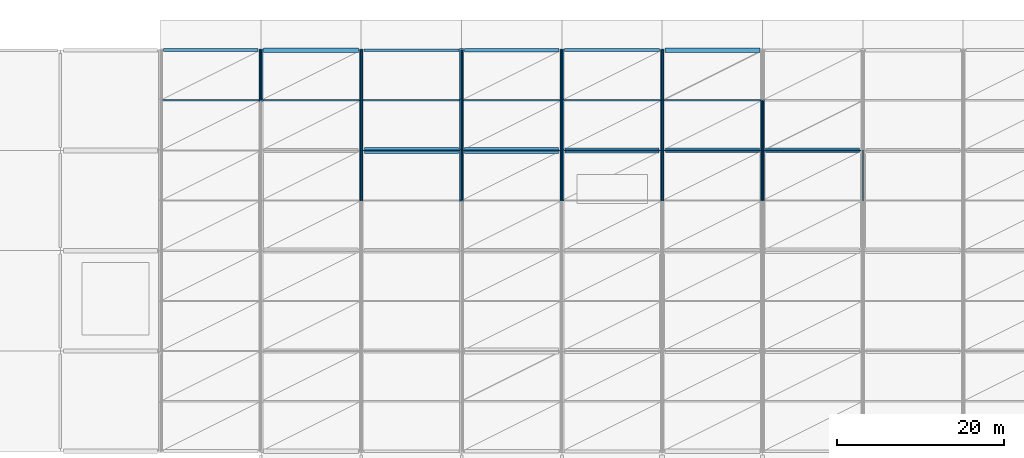
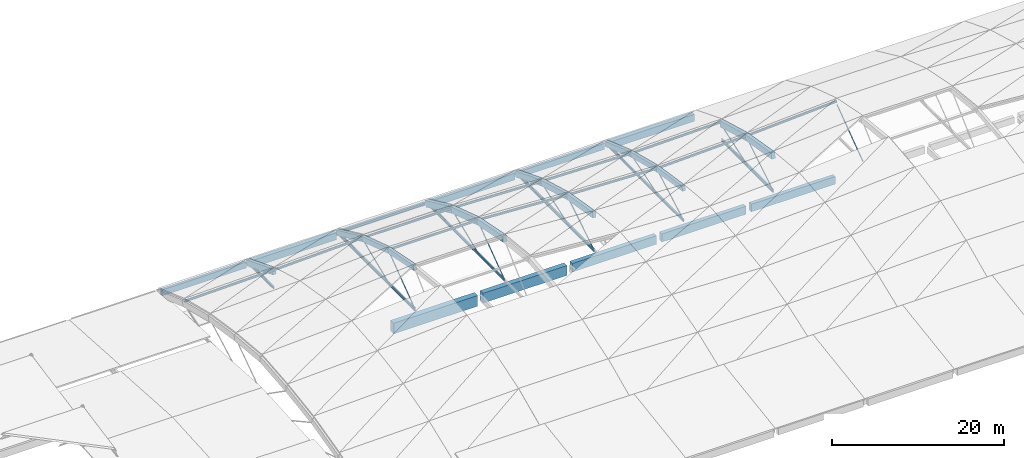
# One storey, part 16 of 23: 37 beams, 31 members.
"""IFC4 building model written with IfcOpenShell, lengths in metres."""

from ifc_helpers import new_model, si_unit, direction, frame, origin, origin_2d, place, context, subcontext, project, spatial, rectangle, hollow_circle, i_section, extrude, material, material_profile, profile_set, type_object, element, save


model = new_model("IFC4")

# Units and contexts
model_context = context("Model", 3, precision=1e-05, world=origin(), true_north=direction((0.0, 1.0)))
body_context = subcontext(model_context, "Body", "Model", "MODEL_VIEW")
ifc_project = project(units=[si_unit("LENGTHUNIT", "METRE"), si_unit("AREAUNIT", "SQUARE_METRE"), si_unit("VOLUMEUNIT", "CUBIC_METRE"), si_unit("PLANEANGLEUNIT", "RADIAN"), si_unit("MASSUNIT", "GRAM", prefix="KILO")], contexts=[model_context])

# Site, building, storey
site_placement = place(None, origin())
site = spatial("IfcSite", under=ifc_project, at=site_placement, CompositionType="ELEMENT")
building_placement = place(site_placement, origin())
building = spatial("IfcBuilding", under=site, at=building_placement, Name="Kamomehara Wholesale Market", CompositionType="ELEMENT")
storey_placement = place(building_placement, frame((0.0, 0.0, 21.0)))
storey = spatial("IfcBuildingStorey", under=building, at=storey_placement, Name="RF", CompositionType="ELEMENT", Elevation=21.0)

# Beams
ifc_material_1 = material(Name="Precast concrete Fc45 (C40/50)", Category="concrete")
ifc_material_profile_1 = material_profile(ifc_material_1, rectangle(XDim=0.52001953125, YDim=1.080078125, at=origin_2d()), Name="PC-GRD-520x1080")
ifc_profile_set_1 = profile_set([ifc_material_profile_1], Name="Precast concrete Fc45 (C40/50)")
beam_type_1 = type_object("IfcBeamType", Name="BM-PG1080", PredefinedType="T_BEAM", material=ifc_profile_set_1)
beam_1_placement = place(storey_placement, frame((132.375, 144.0, -15.2919921875), z_axis=(1.0, 0.0, 0.0), x_axis=(0.0, 1.0, 0.0)))
element("IfcBeam", 1, at=beam_1_placement, inside=storey, type_object=beam_type_1, Name="Beam PG-15 RF", PredefinedType="T_BEAM", context=body_context, shape_type="SweptSolid", body=[
    extrude(rectangle(XDim=0.52001953125, YDim=1.080078125, at=origin_2d()), origin(), (0.0, 0.0, 1.0), 11.25),
])
ifc_material_2 = material(Name="Precast concrete Fc45 (C40/50)", Category="concrete")
ifc_material_profile_2 = material_profile(ifc_material_2, rectangle(XDim=0.550048828125, YDim=1.14990234375, at=origin_2d()), Name="PC-GRD-550x1150")
ifc_profile_set_2 = profile_set([ifc_material_profile_2], Name="Precast concrete Fc45 (C40/50)")
beam_type_2 = type_object("IfcBeamType", Name="BM-PG1150", PredefinedType="T_BEAM", material=ifc_profile_set_2)
beam_2_placement = place(storey_placement, frame((120.375, 144.0, -15.326904296875), z_axis=(1.0, 0.0, 0.0), x_axis=(0.0, 1.0, 0.0)))
element("IfcBeam", 2, at=beam_2_placement, inside=storey, type_object=beam_type_2, Name="Beam PG-06 RF", PredefinedType="T_BEAM", context=body_context, shape_type="SweptSolid", body=[
    extrude(rectangle(XDim=0.550048828125, YDim=1.14990234375, at=origin_2d()), origin(), (0.0, 0.0, 1.0), 11.25),
])
ifc_material_3 = material(Name="Precast concrete Fc45 (C40/50)", Category="concrete")
ifc_material_profile_3 = material_profile(ifc_material_3, rectangle(XDim=0.60009765625, YDim=1.199951171875, at=origin_2d()), Name="PC-GRD-600x1200")
ifc_profile_set_3 = profile_set([ifc_material_profile_3], Name="Precast concrete Fc45 (C40/50)")
beam_type_3 = type_object("IfcBeamType", Name="BM-PG1200", PredefinedType="T_BEAM", material=ifc_profile_set_3)
beam_3_placement = place(storey_placement, frame((108.375, 144.0, -15.322021484375), z_axis=(1.0, 0.0, 0.0), x_axis=(0.0, 1.0, 0.0)))
element("IfcBeam", 3, at=beam_3_placement, inside=storey, type_object=beam_type_3, Name="Beam PG-05 RF", PredefinedType="T_BEAM", context=body_context, shape_type="SweptSolid", body=[
    extrude(rectangle(XDim=0.60009765625, YDim=1.199951171875, at=origin_2d()), origin(), (0.0, 0.0, 1.0), 11.25),
])
ifc_material_4 = material(Name="Precast concrete Fc45 (C40/50)", Category="concrete")
ifc_material_profile_4 = material_profile(ifc_material_4, rectangle(XDim=0.679931640625, YDim=1.3798828125, at=origin_2d()), Name="PC-GRD-680x1380")
ifc_profile_set_4 = profile_set([ifc_material_profile_4], Name="Precast concrete Fc45 (C40/50)")
beam_type_4 = type_object("IfcBeamType", Name="BM-PG1380", PredefinedType="T_BEAM", material=ifc_profile_set_4)
beam_4_placement = place(storey_placement, frame((96.375, 144.0, -15.412109375), z_axis=(1.0, 0.0, 0.0), x_axis=(0.0, 1.0, 0.0)))
element("IfcBeam", 4, at=beam_4_placement, inside=storey, type_object=beam_type_4, Name="Beam PG-12 RF", PredefinedType="T_BEAM", context=body_context, shape_type="SweptSolid", body=[
    extrude(rectangle(XDim=0.679931640625, YDim=1.3798828125, at=origin_2d()), origin(), (0.0, 0.0, 1.0), 11.25),
])
ifc_material_5 = material(Name="Precast concrete Fc45 (C40/50)", Category="concrete")
ifc_material_profile_5 = material_profile(ifc_material_5, rectangle(XDim=0.75, YDim=1.5, at=origin_2d()), Name="PC-GRD-750x1500")
ifc_profile_set_5 = profile_set([ifc_material_profile_5], Name="Precast concrete Fc45 (C40/50)")
beam_type_5 = type_object("IfcBeamType", Name="BM-PG1500", PredefinedType="T_BEAM", material=ifc_profile_set_5)
beam_5_placement = place(storey_placement, frame((84.375, 144.0, -15.491943359375), z_axis=(1.0, 0.0, 0.0), x_axis=(0.0, 1.0, 0.0)))
element("IfcBeam", 5, at=beam_5_placement, inside=storey, type_object=beam_type_5, Name="Beam PG-01 RF", PredefinedType="T_BEAM", context=body_context, shape_type="SweptSolid", body=[
    extrude(rectangle(XDim=0.75, YDim=1.5, at=origin_2d()), origin(), (0.0, 0.0, 1.0), 11.25),
])
ifc_material_6 = material(Name="Concrete Fc36 (C35/45)", Category="concrete")
ifc_material_profile_6 = material_profile(ifc_material_6, rectangle(XDim=0.39990234375, YDim=0.699951171875, at=origin_2d()), Name="RC-RIB-400x700")
ifc_profile_set_6 = profile_set([ifc_material_profile_6], Name="Concrete Fc36 (C35/45)")
beam_type_6 = type_object("IfcBeamType", Name="BM-RIB700", PredefinedType="BEAM", material=ifc_profile_set_6)
beam_6_placement = place(storey_placement, frame((84.0, 138.0, -3.31689453125), z_axis=(0.0, 0.981199166637, -0.192997915508), x_axis=(-1.0, 0.0, 0.0)))
element("IfcBeam", 6, at=beam_6_placement, inside=storey, type_object=beam_type_6, Name="Shell arch rib V1 22", PredefinedType="BEAM", context=body_context, shape_type="SweptSolid", body=[
    extrude(rectangle(XDim=0.39990234375, YDim=0.699951171875, at=origin_2d()), origin(), (0.0, 0.0, 1.0), 6.114990234375),
])
beam_7_placement = place(storey_placement, frame((84.0, 144.0, -4.4970703125), z_axis=(0.0, 0.950191818193, -0.311665700132), x_axis=(-1.0, 0.0, 0.0)))
element("IfcBeam", 7, at=beam_7_placement, inside=storey, type_object=beam_type_6, Name="Shell arch rib V1 23", PredefinedType="BEAM", context=body_context, shape_type="SweptSolid", body=[
    extrude(rectangle(XDim=0.39990234375, YDim=0.699951171875, at=origin_2d()), origin(), (0.0, 0.0, 1.0), 6.314453125),
])
beam_8_placement = place(storey_placement, frame((84.0, 150.0, -6.465087890625), z_axis=(0.0, 0.908784493096, -0.417265796716), x_axis=(-1.0, 0.0, 0.0)))
element("IfcBeam", 8, at=beam_8_placement, inside=storey, type_object=beam_type_6, Name="Shell arch rib V1 24", PredefinedType="BEAM", context=body_context, shape_type="SweptSolid", body=[
    extrude(rectangle(XDim=0.39990234375, YDim=0.699951171875, at=origin_2d()), origin(), (0.0, 0.0, 1.0), 6.602294921875),
])
beam_9_placement = place(storey_placement, frame((120.0, 138.0, -4.673095703125), z_axis=(0.0, 0.988695452542, -0.149937660792), x_axis=(-1.0, 0.0, 0.0)))
element("IfcBeam", 9, at=beam_9_placement, inside=storey, type_object=beam_type_6, Name="Shell arch rib V1 46", PredefinedType="BEAM", context=body_context, shape_type="SweptSolid", body=[
    extrude(rectangle(XDim=0.39990234375, YDim=0.699951171875, at=origin_2d()), origin(), (0.0, 0.0, 1.0), 6.068603515625),
])
beam_10_placement = place(storey_placement, frame((120.0, 144.0, -5.5830078125), z_axis=(0.0, 0.969573603091, -0.244799975878), x_axis=(-1.0, 0.0, 0.0)))
element("IfcBeam", 10, at=beam_10_placement, inside=storey, type_object=beam_type_6, Name="Shell arch rib V1 47", PredefinedType="BEAM", context=body_context, shape_type="SweptSolid", body=[
    extrude(rectangle(XDim=0.39990234375, YDim=0.699951171875, at=origin_2d()), origin(), (0.0, 0.0, 1.0), 6.188232421875),
])
beam_11_placement = place(storey_placement, frame((120.0, 150.0, -7.097900390625), z_axis=(0.0, 0.942772001715, -0.333438079383), x_axis=(-1.0, 0.0, 0.0)))
element("IfcBeam", 11, at=beam_11_placement, inside=storey, type_object=beam_type_6, Name="Shell arch rib V1 48", PredefinedType="BEAM", context=body_context, shape_type="SweptSolid", body=[
    extrude(rectangle(XDim=0.39990234375, YDim=0.699951171875, at=origin_2d()), origin(), (0.0, 0.0, 1.0), 6.3642578125),
])
ifc_material_7 = material(Name="Concrete Fc36 (C35/45)", Category="concrete")
ifc_material_profile_7 = material_profile(ifc_material_7, rectangle(XDim=0.449951171875, YDim=0.800048828125, at=origin_2d()), Name="RC-RIB-450x800")
ifc_profile_set_7 = profile_set([ifc_material_profile_7], Name="Concrete Fc36 (C35/45)")
beam_type_7 = type_object("IfcBeamType", Name="BM-RIB800", PredefinedType="BEAM", material=ifc_profile_set_7)
beam_12_placement = place(storey_placement, frame((72.0, 150.0, -6.906005859375), z_axis=(0.0, 0.930388439459, -0.366575165173), x_axis=(-1.0, 0.0, 0.0)))
element("IfcBeam", 12, at=beam_12_placement, inside=storey, type_object=beam_type_7, Name="Shell arch rib V1 16", PredefinedType="BEAM", context=body_context, shape_type="SweptSolid", body=[
    extrude(rectangle(XDim=0.449951171875, YDim=0.800048828125, at=origin_2d()), origin(), (0.0, 0.0, 1.0), 6.448974609375),
])
beam_13_placement = place(storey_placement, frame((108.0, 138.0, -4.205078125), z_axis=(0.0, 0.986046918552, -0.166467637739), x_axis=(-1.0, 0.0, 0.0)))
element("IfcBeam", 13, at=beam_13_placement, inside=storey, type_object=beam_type_7, Name="Shell arch rib V1 38", PredefinedType="BEAM", context=body_context, shape_type="SweptSolid", body=[
    extrude(rectangle(XDim=0.449951171875, YDim=0.800048828125, at=origin_2d()), origin(), (0.0, 0.0, 1.0), 6.0849609375),
])
beam_14_placement = place(storey_placement, frame((108.0, 144.0, -5.218017578125), z_axis=(0.0, 0.962630519631, -0.270818172719), x_axis=(-1.0, 0.0, 0.0)))
element("IfcBeam", 14, at=beam_14_placement, inside=storey, type_object=beam_type_7, Name="Shell arch rib V1 39", PredefinedType="BEAM", context=body_context, shape_type="SweptSolid", body=[
    extrude(rectangle(XDim=0.449951171875, YDim=0.800048828125, at=origin_2d()), origin(), (0.0, 0.0, 1.0), 6.23291015625),
])
beam_15_placement = place(storey_placement, frame((108.0, 150.0, -6.906005859375), z_axis=(0.0, 0.930388439459, -0.366575165173), x_axis=(-1.0, 0.0, 0.0)))
element("IfcBeam", 15, at=beam_15_placement, inside=storey, type_object=beam_type_7, Name="Shell arch rib V1 40", PredefinedType="BEAM", context=body_context, shape_type="SweptSolid", body=[
    extrude(rectangle(XDim=0.449951171875, YDim=0.800048828125, at=origin_2d()), origin(), (0.0, 0.0, 1.0), 6.448974609375),
])
ifc_material_8 = material(Name="Concrete Fc36 (C35/45)", Category="concrete")
ifc_material_profile_8 = material_profile(ifc_material_8, rectangle(XDim=0.5, YDim=0.85009765625, at=origin_2d()), Name="RC-RIB-500x850")
ifc_profile_set_8 = profile_set([ifc_material_profile_8], Name="Concrete Fc36 (C35/45)")
beam_type_8 = type_object("IfcBeamType", Name="BM-RIB850", PredefinedType="BEAM", material=ifc_profile_set_8)
beam_16_placement = place(storey_placement, frame((96.0, 138.0, -3.39208984375), z_axis=(0.0, 0.981206726534, -0.192959477105), x_axis=(-1.0, 0.0, 0.0)))
element("IfcBeam", 16, at=beam_16_placement, inside=storey, type_object=beam_type_8, Name="Shell arch rib V1 30", PredefinedType="BEAM", context=body_context, shape_type="SweptSolid", body=[
    extrude(rectangle(XDim=0.5, YDim=0.85009765625, at=origin_2d()), origin(), (0.0, 0.0, 1.0), 6.114990234375),
])
beam_17_placement = place(storey_placement, frame((96.0, 144.0, -4.572021484375), z_axis=(0.0, 0.950191818193, -0.311665700132), x_axis=(-1.0, 0.0, 0.0)))
element("IfcBeam", 17, at=beam_17_placement, inside=storey, type_object=beam_type_8, Name="Shell arch rib V1 31", PredefinedType="BEAM", context=body_context, shape_type="SweptSolid", body=[
    extrude(rectangle(XDim=0.5, YDim=0.85009765625, at=origin_2d()), origin(), (0.0, 0.0, 1.0), 6.314453125),
])
beam_18_placement = place(storey_placement, frame((96.0, 150.0, -6.5400390625), z_axis=(0.0, 0.908784493096, -0.417265796716), x_axis=(-1.0, 0.0, 0.0)))
element("IfcBeam", 18, at=beam_18_placement, inside=storey, type_object=beam_type_8, Name="Shell arch rib V1 32", PredefinedType="BEAM", context=body_context, shape_type="SweptSolid", body=[
    extrude(rectangle(XDim=0.5, YDim=0.85009765625, at=origin_2d()), origin(), (0.0, 0.0, 1.0), 6.602294921875),
])
beam_19_placement = place(storey_placement, frame((132.0, 138.0, -4.22998046875), z_axis=(0.0, 0.986046918552, -0.166467637739), x_axis=(-1.0, 0.0, 0.0)))
element("IfcBeam", 19, at=beam_19_placement, inside=storey, type_object=beam_type_8, Name="Shell arch rib V1 54", PredefinedType="BEAM", context=body_context, shape_type="SweptSolid", body=[
    extrude(rectangle(XDim=0.5, YDim=0.85009765625, at=origin_2d()), origin(), (0.0, 0.0, 1.0), 6.0849609375),
])
beam_20_placement = place(storey_placement, frame((132.0, 144.0, -5.242919921875), z_axis=(0.0, 0.962630519631, -0.270818172719), x_axis=(-1.0, 0.0, 0.0)))
element("IfcBeam", 20, at=beam_20_placement, inside=storey, type_object=beam_type_8, Name="Shell arch rib V1 55", PredefinedType="BEAM", context=body_context, shape_type="SweptSolid", body=[
    extrude(rectangle(XDim=0.5, YDim=0.85009765625, at=origin_2d()), origin(), (0.0, 0.0, 1.0), 6.23291015625),
])
ifc_material_9 = material(Name="Concrete Fc36 (C35/45)", Category="concrete")
ifc_material_profile_9 = material_profile(ifc_material_9, rectangle(XDim=0.550048828125, YDim=1.0, at=origin_2d()), Name="RC-SEB-550x1000")
ifc_profile_set_9 = profile_set([ifc_material_profile_9], Name="Concrete Fc36 (C35/45)")
beam_type_9 = type_object("IfcBeamType", Name="BM-SEB1000-EXT", PredefinedType="SPANDREL", material=ifc_profile_set_9)
for number, where, z_axis, x_axis, name in (
    (21, (72.324951171875, 156.0, -9.5), (1.0, 0.0, 0.0), (0.0, 1.0, 0.0), "Beam SEB-03E RF"),
    (22, (120.324951171875, 156.0, -9.5), (1.0, 0.0, 0.0), (0.0, 1.0, 0.0), "Beam SEB-03E RF"),
):
    element("IfcBeam", number, at=place(storey_placement, frame(where, z_axis=z_axis, x_axis=x_axis)), inside=storey, type_object=beam_type_9, Name=name, PredefinedType="SPANDREL", context=body_context, shape_type="SweptSolid", body=[
        extrude(rectangle(XDim=0.550048828125, YDim=1.0, at=origin_2d()), origin(), (0.0, 0.0, 1.0), 11.35009765625),
    ])
ifc_material_10 = material(Name="Precast concrete Fc45 (C40/50)", Category="concrete")
ifc_material_profile_10 = material_profile(ifc_material_10, rectangle(XDim=0.35009765625, YDim=0.85009765625, at=origin_2d()), Name="PC-SPN-350x850")
ifc_profile_set_10 = profile_set([ifc_material_profile_10], Name="Precast concrete Fc45 (C40/50)")
beam_type_10 = type_object("IfcBeamType", Name="BM-SPN850-EXT", PredefinedType="SPANDREL", material=ifc_profile_set_10)
beam_21_placement = place(storey_placement, frame((60.360107421875, 156.0, -9.425048828125), z_axis=(1.0, 0.0, 0.0), x_axis=(0.0, 1.0, 0.0)))
element("IfcBeam", 23, at=beam_21_placement, inside=storey, type_object=beam_type_10, Name="Beam SPN-02E RF", PredefinedType="SPANDREL", context=body_context, shape_type="SweptSolid", body=[
    extrude(rectangle(XDim=0.35009765625, YDim=0.85009765625, at=origin_2d()), origin(), (0.0, 0.0, 1.0), 11.31494140625),
])
beam_22_placement = place(storey_placement, frame((108.324951171875, 156.0, -9.425048828125), z_axis=(1.0, 0.0, 0.0), x_axis=(0.0, 1.0, 0.0)))
element("IfcBeam", 24, at=beam_22_placement, inside=storey, type_object=beam_type_10, Name="Beam SPN-02E RF", PredefinedType="SPANDREL", context=body_context, shape_type="SweptSolid", body=[
    extrude(rectangle(XDim=0.35009765625, YDim=0.85009765625, at=origin_2d()), origin(), (0.0, 0.0, 1.0), 11.35009765625),
])
ifc_material_11 = material(Name="Precast concrete Fc45 (C40/50)", Category="concrete")
ifc_material_profile_11 = material_profile(ifc_material_11, rectangle(XDim=0.39990234375, YDim=0.949951171875, at=origin_2d()), Name="PC-SPN-400x950")
ifc_profile_set_11 = profile_set([ifc_material_profile_11], Name="Precast concrete Fc45 (C40/50)")
beam_type_11 = type_object("IfcBeamType", Name="BM-SPN950-EXT", PredefinedType="SPANDREL", material=ifc_profile_set_11)
beam_23_placement = place(storey_placement, frame((96.324951171875, 156.0, -9.47509765625), z_axis=(1.0, 0.0, 0.0), x_axis=(0.0, 1.0, 0.0)))
element("IfcBeam", 25, at=beam_23_placement, inside=storey, type_object=beam_type_11, Name="Beam SPN-01E RF", PredefinedType="SPANDREL", context=body_context, shape_type="SweptSolid", body=[
    extrude(rectangle(XDim=0.39990234375, YDim=0.949951171875, at=origin_2d()), origin(), (0.0, 0.0, 1.0), 11.35009765625),
])
ifc_material_12 = material(Name="Steel SN400B", Category="steel")
ifc_material_profile_12 = material_profile(ifc_material_12, i_section(OverallWidth=0.14990234375, OverallDepth=0.300048828125, WebThickness=0.006591796875, FlangeThickness=0.009033203125, FilletRadius=0.012939453125, at=origin_2d()), Name="H-300x150x6.5x9")
ifc_profile_set_12 = profile_set([ifc_material_profile_12], Name="Steel SN400B")
beam_type_12 = type_object("IfcBeamType", Name="BM-ST-H300", PredefinedType="JOIST", material=ifc_profile_set_12)
beam_24_placement = place(storey_placement, frame((60.0, 150.0, -6.93798828125), z_axis=(0.9997968099, 0.0, 0.020157849907), x_axis=(0.0, 1.0, 0.0)))
element("IfcBeam", 26, at=beam_24_placement, inside=storey, type_object=beam_type_12, Name="Shell longitudinal purlin V1 7", PredefinedType="JOIST", context=body_context, shape_type="SweptSolid", body=[
    extrude(i_section(OverallWidth=0.14990234375, OverallDepth=0.300048828125, WebThickness=0.006591796875, FlangeThickness=0.009033203125, FilletRadius=0.012939453125, at=origin_2d()), origin(), (0.0, 0.0, 1.0), 12.00244140625),
])
beam_25_placement = place(storey_placement, frame((72.0, 150.0, -6.696044921875), z_axis=(0.999469278357, 0.0, 0.032575475747), x_axis=(0.0, 1.0, 0.0)))
element("IfcBeam", 27, at=beam_25_placement, inside=storey, type_object=beam_type_12, Name="Shell longitudinal purlin V1 14", PredefinedType="JOIST", context=body_context, shape_type="SweptSolid", body=[
    extrude(i_section(OverallWidth=0.14990234375, OverallDepth=0.300048828125, WebThickness=0.006591796875, FlangeThickness=0.009033203125, FilletRadius=0.012939453125, at=origin_2d()), origin(), (0.0, 0.0, 1.0), 12.00634765625),
])
for number, where, z_axis, x_axis, name in (
    (28, (84.0, 144.0, -4.3369140625), (1.0, 0.0, 0.0), (0.0, 1.0, 0.0), "Shell longitudinal purlin V1 20"),
    (29, (84.0, 150.0, -6.304931640625), (1.0, 0.0, 0.0), (0.0, 1.0, 0.0), "Shell longitudinal purlin V1 21"),
):
    element("IfcBeam", number, at=place(storey_placement, frame(where, z_axis=z_axis, x_axis=x_axis)), inside=storey, type_object=beam_type_12, Name=name, PredefinedType="JOIST", context=body_context, shape_type="SweptSolid", body=[
        extrude(i_section(OverallWidth=0.14990234375, OverallDepth=0.300048828125, WebThickness=0.006591796875, FlangeThickness=0.009033203125, FilletRadius=0.012939453125, at=origin_2d()), origin(), (0.0, 0.0, 1.0), 12.0),
    ])
beam_26_placement = place(storey_placement, frame((96.0, 144.0, -4.3369140625), z_axis=(0.998439658361, 0.0, -0.055841280535), x_axis=(0.0, 1.0, 0.0)))
element("IfcBeam", 30, at=beam_26_placement, inside=storey, type_object=beam_type_12, Name="Shell longitudinal purlin V1 27", PredefinedType="JOIST", context=body_context, shape_type="SweptSolid", body=[
    extrude(i_section(OverallWidth=0.14990234375, OverallDepth=0.300048828125, WebThickness=0.006591796875, FlangeThickness=0.009033203125, FilletRadius=0.012939453125, at=origin_2d()), origin(), (0.0, 0.0, 1.0), 12.018798828125),
])
beam_27_placement = place(storey_placement, frame((96.0, 150.0, -6.304931640625), z_axis=(0.999469278357, 0.0, -0.032575475747), x_axis=(0.0, 1.0, 0.0)))
element("IfcBeam", 31, at=beam_27_placement, inside=storey, type_object=beam_type_12, Name="Shell longitudinal purlin V1 28", PredefinedType="JOIST", context=body_context, shape_type="SweptSolid", body=[
    extrude(i_section(OverallWidth=0.14990234375, OverallDepth=0.300048828125, WebThickness=0.006591796875, FlangeThickness=0.009033203125, FilletRadius=0.012939453125, at=origin_2d()), origin(), (0.0, 0.0, 1.0), 12.00634765625),
])
beam_28_placement = place(storey_placement, frame((108.0, 144.0, -5.008056640625), z_axis=(0.999402420026, 0.0, -0.034565920289), x_axis=(0.0, 1.0, 0.0)))
element("IfcBeam", 32, at=beam_28_placement, inside=storey, type_object=beam_type_12, Name="Shell longitudinal purlin V1 34", PredefinedType="JOIST", context=body_context, shape_type="SweptSolid", body=[
    extrude(i_section(OverallWidth=0.14990234375, OverallDepth=0.300048828125, WebThickness=0.006591796875, FlangeThickness=0.009033203125, FilletRadius=0.012939453125, at=origin_2d()), origin(), (0.0, 0.0, 1.0), 12.007080078125),
])
beam_29_placement = place(storey_placement, frame((108.0, 150.0, -6.696044921875), z_axis=(0.9997968099, 0.0, -0.020157849907), x_axis=(0.0, 1.0, 0.0)))
element("IfcBeam", 33, at=beam_29_placement, inside=storey, type_object=beam_type_12, Name="Shell longitudinal purlin V1 35", PredefinedType="JOIST", context=body_context, shape_type="SweptSolid", body=[
    extrude(i_section(OverallWidth=0.14990234375, OverallDepth=0.300048828125, WebThickness=0.006591796875, FlangeThickness=0.009033203125, FilletRadius=0.012939453125, at=origin_2d()), origin(), (0.0, 0.0, 1.0), 12.00244140625),
])
beam_30_placement = place(storey_placement, frame((120.0, 144.0, -5.423095703125), z_axis=(0.999402420026, 0.0, 0.034565920289), x_axis=(0.0, 1.0, 0.0)))
element("IfcBeam", 34, at=beam_30_placement, inside=storey, type_object=beam_type_12, Name="Shell longitudinal purlin V1 41", PredefinedType="JOIST", context=body_context, shape_type="SweptSolid", body=[
    extrude(i_section(OverallWidth=0.14990234375, OverallDepth=0.300048828125, WebThickness=0.006591796875, FlangeThickness=0.009033203125, FilletRadius=0.012939453125, at=origin_2d()), origin(), (0.0, 0.0, 1.0), 12.007080078125),
])
beam_31_placement = place(storey_placement, frame((120.0, 150.0, -6.93798828125), z_axis=(0.9997968099, 0.0, 0.020157849907), x_axis=(0.0, 1.0, 0.0)))
element("IfcBeam", 35, at=beam_31_placement, inside=storey, type_object=beam_type_12, Name="Shell longitudinal purlin V1 42", PredefinedType="JOIST", context=body_context, shape_type="SweptSolid", body=[
    extrude(i_section(OverallWidth=0.14990234375, OverallDepth=0.300048828125, WebThickness=0.006591796875, FlangeThickness=0.009033203125, FilletRadius=0.012939453125, at=origin_2d()), origin(), (0.0, 0.0, 1.0), 12.00244140625),
])
beam_32_placement = place(storey_placement, frame((132.0, 144.0, -5.008056640625), z_axis=(0.998439658361, 0.0, 0.055841280535), x_axis=(0.0, 1.0, 0.0)))
element("IfcBeam", 36, at=beam_32_placement, inside=storey, type_object=beam_type_12, Name="Shell longitudinal purlin V1 48", PredefinedType="JOIST", context=body_context, shape_type="SweptSolid", body=[
    extrude(i_section(OverallWidth=0.14990234375, OverallDepth=0.300048828125, WebThickness=0.006591796875, FlangeThickness=0.009033203125, FilletRadius=0.012939453125, at=origin_2d()), origin(), (0.0, 0.0, 1.0), 12.018798828125),
])
ifc_material_13 = material(Name="Steel SN490B", Category="steel")
ifc_material_profile_13 = material_profile(ifc_material_13, i_section(OverallWidth=0.300048828125, OverallDepth=0.389892578125, WebThickness=0.010009765625, FlangeThickness=0.01611328125, FilletRadius=0.01806640625, at=origin_2d()), Name="H-390x300x10x16")
ifc_profile_set_13 = profile_set([ifc_material_profile_13], Name="Steel SN490B")
beam_type_13 = type_object("IfcBeamType", Name="BM-ST-H390-EXT", PredefinedType="SPANDREL", material=ifc_profile_set_13)
beam_33_placement = place(storey_placement, frame((84.324951171875, 156.0, -9.195068359375), z_axis=(1.0, 0.0, 0.0), x_axis=(0.0, 1.0, 0.0)))
element("IfcBeam", 37, at=beam_33_placement, inside=storey, type_object=beam_type_13, Name="Beam SJ-03E RF", PredefinedType="SPANDREL", context=body_context, shape_type="SweptSolid", body=[
    extrude(i_section(OverallWidth=0.300048828125, OverallDepth=0.389892578125, WebThickness=0.010009765625, FlangeThickness=0.01611328125, FilletRadius=0.01806640625, at=origin_2d()), origin(), (0.0, 0.0, 1.0), 11.35009765625),
])

# Members
ifc_material_14 = material(Name="Steel SN400B", Category="steel")
ifc_material_profile_14 = material_profile(ifc_material_14, hollow_circle(Radius=0.06982421875, WallThickness=0.006591796875, at=origin_2d()), Name="CHS-139.8x6.6")
ifc_profile_set_14 = profile_set([ifc_material_profile_14], Name="Steel SN400B")
member_type_1 = type_object("IfcMemberType", Name="MEM-BR-CHS139", PredefinedType="BRACE", material=ifc_profile_set_14)
member_1_placement = place(storey_placement, frame((72.0, 150.0, -9.25), z_axis=(0.0, 0.997786235602, 0.066502842363), x_axis=(-1.0, 0.0, 0.0)))
element("IfcMember", 38, at=member_1_placement, inside=storey, type_object=member_type_1, Name="Arch truss diagonal B V1 16", PredefinedType="BRACE", context=body_context, shape_type="SweptSolid", body=[
    extrude(hollow_circle(Radius=0.06982421875, WallThickness=0.006591796875, at=origin_2d()), origin(), (0.0, 0.0, 1.0), 6.013427734375),
])
member_2_placement = place(storey_placement, frame((84.0, 138.0, -9.25), z_axis=(0.0, 0.803016816128, 0.595956368382), x_axis=(-1.0, 0.0, 0.0)))
element("IfcMember", 39, at=member_2_placement, inside=storey, type_object=member_type_1, Name="Arch truss diagonal B V1 22", PredefinedType="BRACE", context=body_context, shape_type="SweptSolid", body=[
    extrude(hollow_circle(Radius=0.06982421875, WallThickness=0.006591796875, at=origin_2d()), origin(), (0.0, 0.0, 1.0), 7.471923828125),
])
member_3_placement = place(storey_placement, frame((84.0, 144.0, -9.25), z_axis=(0.0, 0.923889002314, 0.38266056944), x_axis=(-1.0, 0.0, 0.0)))
element("IfcMember", 40, at=member_3_placement, inside=storey, type_object=member_type_1, Name="Arch truss diagonal B V1 23", PredefinedType="BRACE", context=body_context, shape_type="SweptSolid", body=[
    extrude(hollow_circle(Radius=0.06982421875, WallThickness=0.006591796875, at=origin_2d()), origin(), (0.0, 0.0, 1.0), 6.494384765625),
])
member_4_placement = place(storey_placement, frame((84.0, 150.0, -9.25), z_axis=(0.0, 0.997786235602, 0.066502842363), x_axis=(-1.0, 0.0, 0.0)))
element("IfcMember", 41, at=member_4_placement, inside=storey, type_object=member_type_1, Name="Arch truss diagonal B V1 24", PredefinedType="BRACE", context=body_context, shape_type="SweptSolid", body=[
    extrude(hollow_circle(Radius=0.06982421875, WallThickness=0.006591796875, at=origin_2d()), origin(), (0.0, 0.0, 1.0), 6.013427734375),
])
member_5_placement = place(storey_placement, frame((96.0, 138.0, -9.25), z_axis=(0.0, 0.807819712299, 0.589429650104), x_axis=(-1.0, 0.0, 0.0)))
element("IfcMember", 42, at=member_5_placement, inside=storey, type_object=member_type_1, Name="Arch truss diagonal B V1 30", PredefinedType="BRACE", context=body_context, shape_type="SweptSolid", body=[
    extrude(hollow_circle(Radius=0.06982421875, WallThickness=0.006591796875, at=origin_2d()), origin(), (0.0, 0.0, 1.0), 7.427490234375),
])
member_6_placement = place(storey_placement, frame((96.0, 144.0, -9.25), z_axis=(0.0, 0.927947134666, 0.372711839449), x_axis=(-1.0, 0.0, 0.0)))
element("IfcMember", 43, at=member_6_placement, inside=storey, type_object=member_type_1, Name="Arch truss diagonal B V1 31", PredefinedType="BRACE", context=body_context, shape_type="SweptSolid", body=[
    extrude(hollow_circle(Radius=0.06982421875, WallThickness=0.006591796875, at=origin_2d()), origin(), (0.0, 0.0, 1.0), 6.4658203125),
])
member_7_placement = place(storey_placement, frame((96.0, 150.0, -9.25), z_axis=(0.0, 0.997786235602, 0.066502842363), x_axis=(-1.0, 0.0, 0.0)))
element("IfcMember", 44, at=member_7_placement, inside=storey, type_object=member_type_1, Name="Arch truss diagonal B V1 32", PredefinedType="BRACE", context=body_context, shape_type="SweptSolid", body=[
    extrude(hollow_circle(Radius=0.06982421875, WallThickness=0.006591796875, at=origin_2d()), origin(), (0.0, 0.0, 1.0), 6.013427734375),
])
member_8_placement = place(storey_placement, frame((108.0, 138.0, -9.25), z_axis=(0.0, 0.849145449836, 0.528159071704), x_axis=(-1.0, 0.0, 0.0)))
element("IfcMember", 45, at=member_8_placement, inside=storey, type_object=member_type_1, Name="Arch truss diagonal B V1 38", PredefinedType="BRACE", context=body_context, shape_type="SweptSolid", body=[
    extrude(hollow_circle(Radius=0.06982421875, WallThickness=0.006591796875, at=origin_2d()), origin(), (0.0, 0.0, 1.0), 7.06591796875),
])
member_9_placement = place(storey_placement, frame((108.0, 144.0, -9.25), z_axis=(0.0, 0.94658288397, 0.322460608097), x_axis=(-1.0, 0.0, 0.0)))
element("IfcMember", 46, at=member_9_placement, inside=storey, type_object=member_type_1, Name="Arch truss diagonal B V1 39", PredefinedType="BRACE", context=body_context, shape_type="SweptSolid", body=[
    extrude(hollow_circle(Radius=0.06982421875, WallThickness=0.006591796875, at=origin_2d()), origin(), (0.0, 0.0, 1.0), 6.338623046875),
])
member_10_placement = place(storey_placement, frame((108.0, 150.0, -9.25), z_axis=(0.0, 0.997786235602, 0.066502842363), x_axis=(-1.0, 0.0, 0.0)))
element("IfcMember", 47, at=member_10_placement, inside=storey, type_object=member_type_1, Name="Arch truss diagonal B V1 40", PredefinedType="BRACE", context=body_context, shape_type="SweptSolid", body=[
    extrude(hollow_circle(Radius=0.06982421875, WallThickness=0.006591796875, at=origin_2d()), origin(), (0.0, 0.0, 1.0), 6.013427734375),
])
member_11_placement = place(storey_placement, frame((120.0, 138.0, -9.25), z_axis=(0.0, 0.87207545103, 0.489371441453), x_axis=(-1.0, 0.0, 0.0)))
element("IfcMember", 48, at=member_11_placement, inside=storey, type_object=member_type_1, Name="Arch truss diagonal B V1 46", PredefinedType="BRACE", context=body_context, shape_type="SweptSolid", body=[
    extrude(hollow_circle(Radius=0.06982421875, WallThickness=0.006591796875, at=origin_2d()), origin(), (0.0, 0.0, 1.0), 6.880126953125),
])
member_12_placement = place(storey_placement, frame((120.0, 144.0, -9.25), z_axis=(0.0, 0.955514660101, 0.294943612123), x_axis=(-1.0, 0.0, 0.0)))
element("IfcMember", 49, at=member_12_placement, inside=storey, type_object=member_type_1, Name="Arch truss diagonal B V1 47", PredefinedType="BRACE", context=body_context, shape_type="SweptSolid", body=[
    extrude(hollow_circle(Radius=0.06982421875, WallThickness=0.006591796875, at=origin_2d()), origin(), (0.0, 0.0, 1.0), 6.279296875),
])
member_13_placement = place(storey_placement, frame((120.0, 150.0, -9.25), z_axis=(0.0, 0.997786235602, 0.066502842363), x_axis=(-1.0, 0.0, 0.0)))
element("IfcMember", 50, at=member_13_placement, inside=storey, type_object=member_type_1, Name="Arch truss diagonal B V1 48", PredefinedType="BRACE", context=body_context, shape_type="SweptSolid", body=[
    extrude(hollow_circle(Radius=0.06982421875, WallThickness=0.006591796875, at=origin_2d()), origin(), (0.0, 0.0, 1.0), 6.013427734375),
])
member_14_placement = place(storey_placement, frame((132.0, 138.0, -9.25), z_axis=(0.0, 0.850725158831, 0.525610791491), x_axis=(-1.0, 0.0, 0.0)))
element("IfcMember", 51, at=member_14_placement, inside=storey, type_object=member_type_1, Name="Arch truss diagonal B V1 54", PredefinedType="BRACE", context=body_context, shape_type="SweptSolid", body=[
    extrude(hollow_circle(Radius=0.06982421875, WallThickness=0.006591796875, at=origin_2d()), origin(), (0.0, 0.0, 1.0), 7.052734375),
])
member_15_placement = place(storey_placement, frame((132.0, 144.0, -9.25), z_axis=(0.0, 0.947777010748, 0.318933751582), x_axis=(-1.0, 0.0, 0.0)))
element("IfcMember", 52, at=member_15_placement, inside=storey, type_object=member_type_1, Name="Arch truss diagonal B V1 55", PredefinedType="BRACE", context=body_context, shape_type="SweptSolid", body=[
    extrude(hollow_circle(Radius=0.06982421875, WallThickness=0.006591796875, at=origin_2d()), origin(), (0.0, 0.0, 1.0), 6.33056640625),
])
member_16_placement = place(storey_placement, frame((144.0, 138.0, -9.25), z_axis=(0.0, 0.80620783854, 0.591632420576), x_axis=(-1.0, 0.0, 0.0)))
element("IfcMember", 53, at=member_16_placement, inside=storey, type_object=member_type_1, Name="Arch truss diagonal B V1 62", PredefinedType="BRACE", context=body_context, shape_type="SweptSolid", body=[
    extrude(hollow_circle(Radius=0.06982421875, WallThickness=0.006591796875, at=origin_2d()), origin(), (0.0, 0.0, 1.0), 7.442138671875),
])
ifc_material_15 = material(Name="Steel SN490B", Category="steel")
ifc_material_profile_15 = material_profile(ifc_material_15, i_section(OverallWidth=0.175048828125, OverallDepth=0.35009765625, WebThickness=0.007080078125, FlangeThickness=0.010986328125, FilletRadius=0.012939453125, at=origin_2d()), Name="H-350x175x7x11")
ifc_profile_set_15 = profile_set([ifc_material_profile_15], Name="Steel SN490B")
member_type_2 = type_object("IfcMemberType", Name="MEM-CH-H350", PredefinedType="CHORD", material=ifc_profile_set_15)
for number, where, z_axis, x_axis, name in (
    (54, (72.0, 150.0, -9.25), (0.0, 1.0, 0.0), (-1.0, 0.0, 0.0), "Arch tie chord V1 16"),
    (55, (96.0, 138.0, -9.25), (0.0, 1.0, 0.0), (-1.0, 0.0, 0.0), "Arch tie chord V1 30"),
    (56, (96.0, 144.0, -9.25), (0.0, 1.0, 0.0), (-1.0, 0.0, 0.0), "Arch tie chord V1 31"),
    (57, (96.0, 150.0, -9.25), (0.0, 1.0, 0.0), (-1.0, 0.0, 0.0), "Arch tie chord V1 32"),
    (58, (120.0, 138.0, -9.25), (0.0, 1.0, 0.0), (-1.0, 0.0, 0.0), "Arch tie chord V1 46"),
    (59, (120.0, 144.0, -9.25), (0.0, 1.0, 0.0), (-1.0, 0.0, 0.0), "Arch tie chord V1 47"),
    (60, (120.0, 150.0, -9.25), (0.0, 1.0, 0.0), (-1.0, 0.0, 0.0), "Arch tie chord V1 48"),
):
    element("IfcMember", number, at=place(storey_placement, frame(where, z_axis=z_axis, x_axis=x_axis)), inside=storey, type_object=member_type_2, Name=name, PredefinedType="CHORD", context=body_context, shape_type="SweptSolid", body=[
        extrude(i_section(OverallWidth=0.175048828125, OverallDepth=0.35009765625, WebThickness=0.007080078125, FlangeThickness=0.010986328125, FilletRadius=0.012939453125, at=origin_2d()), origin(), (0.0, 0.0, 1.0), 6.0),
    ])
ifc_material_16 = material(Name="Steel SN490B", Category="steel")
ifc_material_profile_16 = material_profile(ifc_material_16, i_section(OverallWidth=0.199951171875, OverallDepth=0.39990234375, WebThickness=0.008056640625, FlangeThickness=0.012939453125, FilletRadius=0.012939453125, at=origin_2d()), Name="H-400x200x8x13")
ifc_profile_set_16 = profile_set([ifc_material_profile_16], Name="Steel SN490B")
member_type_3 = type_object("IfcMemberType", Name="MEM-CH-H400", PredefinedType="CHORD", material=ifc_profile_set_16)
for number, where, z_axis, x_axis, name in (
    (61, (84.0, 138.0, -9.25), (0.0, 1.0, 0.0), (-1.0, 0.0, 0.0), "Arch tie chord V1 22"),
    (62, (84.0, 144.0, -9.25), (0.0, 1.0, 0.0), (-1.0, 0.0, 0.0), "Arch tie chord V1 23"),
    (63, (84.0, 150.0, -9.25), (0.0, 1.0, 0.0), (-1.0, 0.0, 0.0), "Arch tie chord V1 24"),
    (64, (108.0, 138.0, -9.25), (0.0, 1.0, 0.0), (-1.0, 0.0, 0.0), "Arch tie chord V1 38"),
    (65, (108.0, 144.0, -9.25), (0.0, 1.0, 0.0), (-1.0, 0.0, 0.0), "Arch tie chord V1 39"),
    (66, (108.0, 150.0, -9.25), (0.0, 1.0, 0.0), (-1.0, 0.0, 0.0), "Arch tie chord V1 40"),
    (67, (132.0, 138.0, -9.25), (0.0, 1.0, 0.0), (-1.0, 0.0, 0.0), "Arch tie chord V1 54"),
    (68, (132.0, 144.0, -9.25), (0.0, 1.0, 0.0), (-1.0, 0.0, 0.0), "Arch tie chord V1 55"),
):
    element("IfcMember", number, at=place(storey_placement, frame(where, z_axis=z_axis, x_axis=x_axis)), inside=storey, type_object=member_type_3, Name=name, PredefinedType="CHORD", context=body_context, shape_type="SweptSolid", body=[
        extrude(i_section(OverallWidth=0.199951171875, OverallDepth=0.39990234375, WebThickness=0.008056640625, FlangeThickness=0.012939453125, FilletRadius=0.012939453125, at=origin_2d()), origin(), (0.0, 0.0, 1.0), 6.0),
    ])

save(model, "model.ifc")
